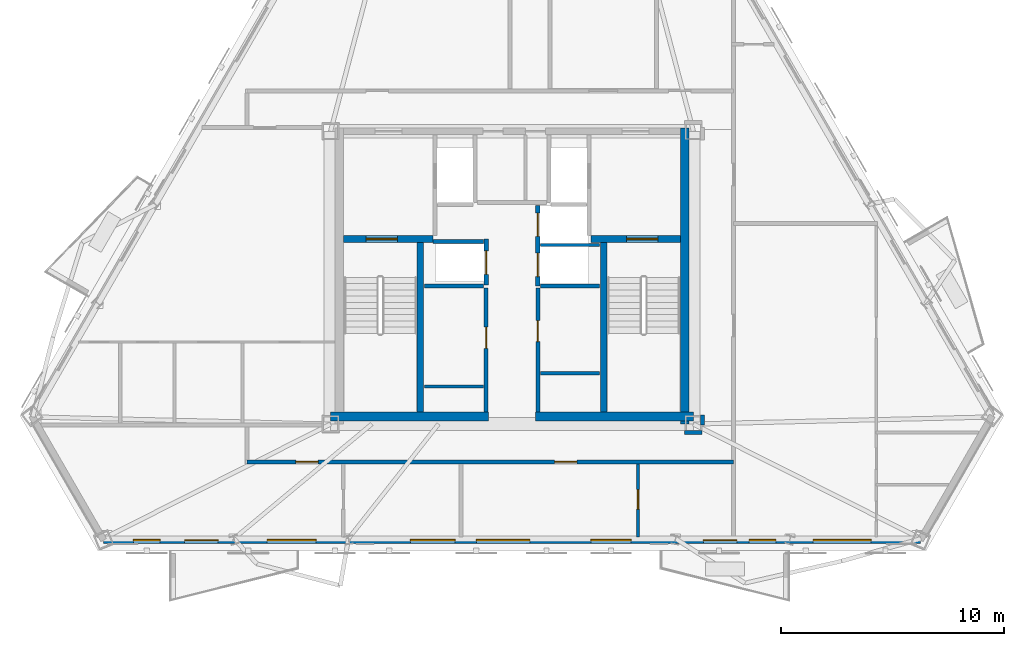
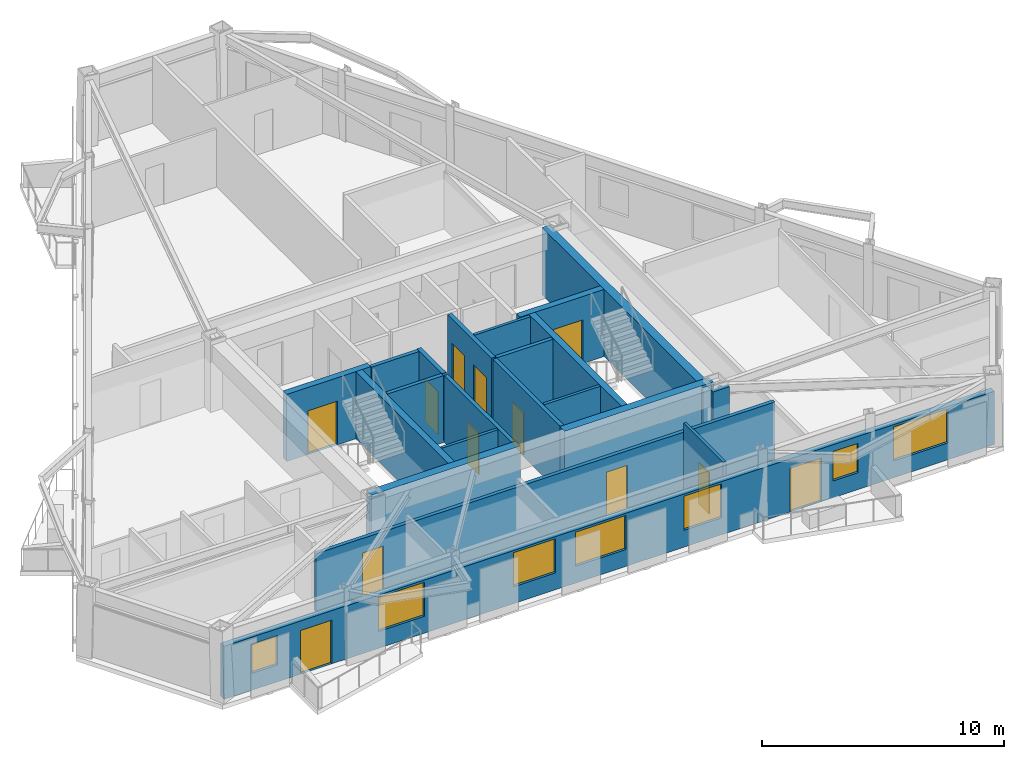
# One storey, part 3 of 9: 22 walls, 12 doors, 7 windows, 19 openings.
"""IFC4 building model written with IfcOpenShell, lengths in metres."""

from ifc_helpers import new_model, si_unit, direction, frame, frame_2d, origin, place, context, subcontext, project, spatial, rectangle, extrude, material, layer, layer_set, type_object, element, fill, save


model = new_model("IFC4")

# Units and contexts
model_context = context("Model", 3, precision=1e-05, world=origin(), true_north=direction((0.0, 1.0)))
body_context = subcontext(model_context, "Body", "Model", "MODEL_VIEW")
ifc_project = project(units=[si_unit("LENGTHUNIT", "METRE"), si_unit("AREAUNIT", "SQUARE_METRE"), si_unit("VOLUMEUNIT", "CUBIC_METRE"), si_unit("PLANEANGLEUNIT", "RADIAN"), si_unit("MASSUNIT", "GRAM", prefix="KILO")], contexts=[model_context])

# Site, building, storey
site_placement = place(None, origin())
site = spatial("IfcSite", under=ifc_project, at=site_placement, CompositionType="ELEMENT")
building_placement = place(site_placement, origin())
building = spatial("IfcBuilding", under=site, at=building_placement, Name="Oramaril Tower", CompositionType="ELEMENT")
storey_placement = place(building_placement, frame((0.0, 0.0, 223.5)))
storey = spatial("IfcBuildingStorey", under=building, at=storey_placement, Name="L59", CompositionType="ELEMENT", Elevation=223.5)

# Wall, openings, doors, windows
ifc_material_1 = material(Name="Warm Cream Limestone", Category="masonry")
ifc_layer_1 = layer(ifc_material_1, 0.2900390625)
ifc_layer_set_1 = layer_set([ifc_layer_1], Name="WT-EXT29")
wall_type_1 = type_object("IfcWallType", Name="WT-EXT29", PredefinedType="SOLIDWALL", material=ifc_layer_set_1)
wall_1_placement = place(storey_placement, frame((19.156005859375, 5.783935546875, 0.0), z_axis=(0.0, 0.0, 1.0), x_axis=(1.0, 0.0, 0.0)))
wall_1 = element("IfcWall", 1, at=wall_1_placement, inside=storey, type_object=wall_type_1, Name="L59 Tower Limestone Facade Wall 2M", PredefinedType="SOLIDWALL", context=body_context, shape_type="SweptSolid", body=[
    extrude(rectangle(XDim=36.68798828125, YDim=0.2900390625, at=frame_2d((18.343994140625, 0.0))), origin(), (0.0, 0.0, 1.0), 2.677001953125),
])
opening_1_placement = place(wall_1_placement, frame((3.639404296875, 0.0, 0.0)))
opening_1 = element("IfcOpeningElement", 2, at=opening_1_placement, cuts=wall_1, Name="Opening D-L59-BAL-S1", PredefinedType="OPENING", context=body_context, shape_type="SweptSolid", body=[
    extrude(rectangle(XDim=1.5, YDim=2.199951171875, at=frame_2d((0.75, 1.10009765625))), frame((0.0, 0.14501953125, 0.0), z_axis=(0.0, -1.0, 0.0), x_axis=(1.0, 0.0, 0.0)), (0.0, 0.0, 1.0), 0.2900390625),
])
opening_2_placement = place(wall_1_placement, frame((26.943603515625, 0.0, 0.0)))
opening_2 = element("IfcOpeningElement", 3, at=opening_2_placement, cuts=wall_1, Name="Opening D-L59-BAL-S2", PredefinedType="OPENING", context=body_context, shape_type="SweptSolid", body=[
    extrude(rectangle(XDim=1.5, YDim=2.199951171875, at=frame_2d((0.75, 1.10009765625))), frame((0.0, 0.14501953125, 0.0), z_axis=(0.0, -1.0, 0.0), x_axis=(1.0, 0.0, 0.0)), (0.0, 0.0, 1.0), 0.2900390625),
])
opening_3_placement = place(wall_1_placement, frame((1.336669921875, 0.0, 0.85009765625)))
opening_3 = element("IfcOpeningElement", 4, at=opening_3_placement, cuts=wall_1, Name="Opening WN-09", PredefinedType="OPENING", context=body_context, shape_type="SweptSolid", body=[
    extrude(rectangle(XDim=1.199951171875, YDim=1.47998046875, at=frame_2d((0.60009765625, 0.739990234375))), frame((0.0, 0.14501953125, 0.0), z_axis=(0.0, -1.0, 0.0), x_axis=(1.0, 0.0, 0.0)), (0.0, 0.0, 1.0), 0.2900390625),
])
opening_4_placement = place(wall_1_placement, frame((7.342041015625, 0.0, 0.85009765625)))
opening_4 = element("IfcOpeningElement", 5, at=opening_4_placement, cuts=wall_1, Name="Opening WN-04", PredefinedType="OPENING", context=body_context, shape_type="SweptSolid", body=[
    extrude(rectangle(XDim=2.199951171875, YDim=1.717041015625, at=frame_2d((1.10009765625, 0.8583984375))), frame((0.0, 0.14501953125, 0.0), z_axis=(0.0, -1.0, 0.0), x_axis=(1.0, 0.0, 0.0)), (0.0, 0.0, 1.0), 0.2900390625),
])
opening_5_placement = place(wall_1_placement, frame((13.78369140625, 0.0, 0.85009765625)))
opening_5 = element("IfcOpeningElement", 6, at=opening_5_placement, cuts=wall_1, Name="Opening WN-05", PredefinedType="OPENING", context=body_context, shape_type="SweptSolid", body=[
    extrude(rectangle(XDim=2.0, YDim=1.717041015625, at=frame_2d((1.0, 0.8583984375))), frame((0.0, 0.14501953125, 0.0), z_axis=(0.0, -1.0, 0.0), x_axis=(1.0, 0.0, 0.0)), (0.0, 0.0, 1.0), 0.2900390625),
])
opening_6_placement = place(wall_1_placement, frame((16.741943359375, 0.0, 0.85009765625)))
opening_6 = element("IfcOpeningElement", 7, at=opening_6_placement, cuts=wall_1, Name="Opening WN-03", PredefinedType="OPENING", context=body_context, shape_type="SweptSolid", body=[
    extrude(rectangle(XDim=2.39990234375, YDim=1.717041015625, at=frame_2d((1.199951171875, 0.8583984375))), frame((0.0, 0.14501953125, 0.0), z_axis=(0.0, -1.0, 0.0), x_axis=(1.0, 0.0, 0.0)), (0.0, 0.0, 1.0), 0.2900390625),
])
opening_7_placement = place(wall_1_placement, frame((21.891845703125, 0.0, 0.85009765625)))
opening_7 = element("IfcOpeningElement", 8, at=opening_7_placement, cuts=wall_1, Name="Opening WN-06", PredefinedType="OPENING", context=body_context, shape_type="SweptSolid", body=[
    extrude(rectangle(XDim=1.800048828125, YDim=1.717041015625, at=frame_2d((0.89990234375, 0.8583984375))), frame((0.0, 0.14501953125, 0.0), z_axis=(0.0, -1.0, 0.0), x_axis=(1.0, 0.0, 0.0)), (0.0, 0.0, 1.0), 0.2900390625),
])
opening_8_placement = place(wall_1_placement, frame((28.994140625, 0.0, 0.85009765625)))
opening_8 = element("IfcOpeningElement", 9, at=opening_8_placement, cuts=wall_1, Name="Opening WN-09", PredefinedType="OPENING", context=body_context, shape_type="SweptSolid", body=[
    extrude(rectangle(XDim=1.199951171875, YDim=1.47998046875, at=frame_2d((0.60009765625, 0.739990234375))), frame((0.0, 0.14501953125, 0.0), z_axis=(0.0, -1.0, 0.0), x_axis=(1.0, 0.0, 0.0)), (0.0, 0.0, 1.0), 0.2900390625),
])
opening_9_placement = place(wall_1_placement, frame((31.874755859375, 0.0, 0.85009765625)))
opening_9 = element("IfcOpeningElement", 10, at=opening_9_placement, cuts=wall_1, Name="Opening WN-02", PredefinedType="OPENING", context=body_context, shape_type="SweptSolid", body=[
    extrude(rectangle(XDim=2.60009765625, YDim=1.717041015625, at=frame_2d((1.300048828125, 0.8583984375))), frame((0.0, 0.14501953125, 0.0), z_axis=(0.0, -1.0, 0.0), x_axis=(1.0, 0.0, 0.0)), (0.0, 0.0, 1.0), 0.2900390625),
])
ifc_material_2 = material(Name="Anodised Aluminium 6063-T6", Category="aluminium")
door_type_1 = type_object("IfcDoorType", Name="DT-BAL", OperationType="NOTDEFINED", PredefinedType="DOOR", material=ifc_material_2)
door_1_placement = place(opening_1_placement, origin())
door_1 = element("IfcDoor", 11, at=door_1_placement, inside=storey, type_object=door_type_1, Name="L59 Balcony Glazed Door L59-BAL-S1", OperationType="SINGLE_SWING_RIGHT", OverallHeight=2.199951171875, OverallWidth=1.5, PredefinedType="DOOR", context=body_context, shape_type="SweptSolid", body=[
    extrude(rectangle(XDim=1.5, YDim=2.199951171875, at=frame_2d((0.75, 1.10009765625))), frame((0.0, 0.02490234375, 0.0), z_axis=(0.0, -1.0, 0.0), x_axis=(1.0, 0.0, 0.0)), (0.0, 0.0, 1.0), 0.050048828125),
])
fill(opening_1, door_1)
door_2_placement = place(opening_2_placement, origin())
door_2 = element("IfcDoor", 12, at=door_2_placement, inside=storey, type_object=door_type_1, Name="L59 Balcony Glazed Door L59-BAL-S2", OperationType="SINGLE_SWING_LEFT", OverallHeight=2.199951171875, OverallWidth=1.5, PredefinedType="DOOR", context=body_context, shape_type="SweptSolid", body=[
    extrude(rectangle(XDim=1.5, YDim=2.199951171875, at=frame_2d((0.75, 1.10009765625))), frame((0.0, 0.02490234375, 0.0), z_axis=(0.0, -1.0, 0.0), x_axis=(1.0, 0.0, 0.0)), (0.0, 0.0, 1.0), 0.050048828125),
])
fill(opening_2, door_2)
ifc_material_3 = material(Name="Coastal Low-E Insulated Glass", Category="glass")
window_type_1 = type_object("IfcWindowType", Name="WNT-02", PartitioningType="SINGLE_PANEL", PredefinedType="WINDOW", material=ifc_material_3)
window_1_placement = place(opening_9_placement, origin())
window_1 = element("IfcWindow", 13, at=window_1_placement, inside=storey, type_object=window_type_1, Name="L59 Chicago Bay Window WN-02", OverallHeight=1.717041015625, OverallWidth=2.60009765625, PartitioningType="SINGLE_PANEL", PredefinedType="WINDOW", context=body_context, shape_type="SweptSolid", body=[
    extrude(rectangle(XDim=2.60009765625, YDim=1.717041015625, at=frame_2d((1.300048828125, 0.8583984375))), frame((0.0, 0.030029296875, 0.0), z_axis=(0.0, -1.0, 0.0), x_axis=(1.0, 0.0, 0.0)), (0.0, 0.0, 1.0), 0.06005859375),
])
fill(opening_9, window_1)
ifc_material_4 = material(Name="Coastal Low-E Insulated Glass", Category="glass")
window_type_2 = type_object("IfcWindowType", Name="WNT-03", PartitioningType="SINGLE_PANEL", PredefinedType="WINDOW", material=ifc_material_4)
window_2_placement = place(opening_6_placement, origin())
window_2 = element("IfcWindow", 14, at=window_2_placement, inside=storey, type_object=window_type_2, Name="L59 Chicago Bay Window WN-03", OverallHeight=1.717041015625, OverallWidth=2.39990234375, PartitioningType="SINGLE_PANEL", PredefinedType="WINDOW", context=body_context, shape_type="SweptSolid", body=[
    extrude(rectangle(XDim=2.39990234375, YDim=1.717041015625, at=frame_2d((1.199951171875, 0.8583984375))), frame((0.0, 0.030029296875, 0.0), z_axis=(0.0, -1.0, 0.0), x_axis=(1.0, 0.0, 0.0)), (0.0, 0.0, 1.0), 0.06005859375),
])
fill(opening_6, window_2)
ifc_material_5 = material(Name="Coastal Low-E Insulated Glass", Category="glass")
window_type_3 = type_object("IfcWindowType", Name="WNT-04", PartitioningType="SINGLE_PANEL", PredefinedType="WINDOW", material=ifc_material_5)
window_3_placement = place(opening_4_placement, origin())
window_3 = element("IfcWindow", 15, at=window_3_placement, inside=storey, type_object=window_type_3, Name="L59 Chicago Bay Window WN-04", OverallHeight=1.717041015625, OverallWidth=2.199951171875, PartitioningType="SINGLE_PANEL", PredefinedType="WINDOW", context=body_context, shape_type="SweptSolid", body=[
    extrude(rectangle(XDim=2.199951171875, YDim=1.717041015625, at=frame_2d((1.10009765625, 0.8583984375))), frame((0.0, 0.030029296875, 0.0), z_axis=(0.0, -1.0, 0.0), x_axis=(1.0, 0.0, 0.0)), (0.0, 0.0, 1.0), 0.06005859375),
])
fill(opening_4, window_3)
ifc_material_6 = material(Name="Coastal Low-E Insulated Glass", Category="glass")
window_type_4 = type_object("IfcWindowType", Name="WNT-05", PartitioningType="SINGLE_PANEL", PredefinedType="WINDOW", material=ifc_material_6)
window_4_placement = place(opening_5_placement, origin())
window_4 = element("IfcWindow", 16, at=window_4_placement, inside=storey, type_object=window_type_4, Name="L59 Chicago Bay Window WN-05", OverallHeight=1.717041015625, OverallWidth=2.0, PartitioningType="SINGLE_PANEL", PredefinedType="WINDOW", context=body_context, shape_type="SweptSolid", body=[
    extrude(rectangle(XDim=2.0, YDim=1.717041015625, at=frame_2d((1.0, 0.8583984375))), frame((0.0, 0.030029296875, 0.0), z_axis=(0.0, -1.0, 0.0), x_axis=(1.0, 0.0, 0.0)), (0.0, 0.0, 1.0), 0.06005859375),
])
fill(opening_5, window_4)
ifc_material_7 = material(Name="Coastal Low-E Insulated Glass", Category="glass")
window_type_5 = type_object("IfcWindowType", Name="WNT-06", PartitioningType="SINGLE_PANEL", PredefinedType="WINDOW", material=ifc_material_7)
window_5_placement = place(opening_7_placement, origin())
window_5 = element("IfcWindow", 17, at=window_5_placement, inside=storey, type_object=window_type_5, Name="L59 Chicago Bay Window WN-06", OverallHeight=1.717041015625, OverallWidth=1.800048828125, PartitioningType="SINGLE_PANEL", PredefinedType="WINDOW", context=body_context, shape_type="SweptSolid", body=[
    extrude(rectangle(XDim=1.800048828125, YDim=1.717041015625, at=frame_2d((0.89990234375, 0.8583984375))), frame((0.0, 0.030029296875, 0.0), z_axis=(0.0, -1.0, 0.0), x_axis=(1.0, 0.0, 0.0)), (0.0, 0.0, 1.0), 0.06005859375),
])
fill(opening_7, window_5)
ifc_material_8 = material(Name="Coastal Low-E Insulated Glass", Category="glass")
window_type_6 = type_object("IfcWindowType", Name="WNT-09", PartitioningType="SINGLE_PANEL", PredefinedType="WINDOW", material=ifc_material_8)
window_6_placement = place(opening_3_placement, origin())
window_6 = element("IfcWindow", 18, at=window_6_placement, inside=storey, type_object=window_type_6, Name="L59 Chicago Bay Window WN-09", OverallHeight=1.47998046875, OverallWidth=1.199951171875, PartitioningType="SINGLE_PANEL", PredefinedType="WINDOW", context=body_context, shape_type="SweptSolid", body=[
    extrude(rectangle(XDim=1.199951171875, YDim=1.47998046875, at=frame_2d((0.60009765625, 0.739990234375))), frame((0.0, 0.030029296875, 0.0), z_axis=(0.0, -1.0, 0.0), x_axis=(1.0, 0.0, 0.0)), (0.0, 0.0, 1.0), 0.06005859375),
])
fill(opening_3, window_6)
window_7_placement = place(opening_8_placement, origin())
window_7 = element("IfcWindow", 19, at=window_7_placement, inside=storey, type_object=window_type_6, Name="L59 Chicago Bay Window WN-09", OverallHeight=1.47998046875, OverallWidth=1.199951171875, PartitioningType="SINGLE_PANEL", PredefinedType="WINDOW", context=body_context, shape_type="SweptSolid", body=[
    extrude(rectangle(XDim=1.199951171875, YDim=1.47998046875, at=frame_2d((0.60009765625, 0.739990234375))), frame((0.0, 0.030029296875, 0.0), z_axis=(0.0, -1.0, 0.0), x_axis=(1.0, 0.0, 0.0)), (0.0, 0.0, 1.0), 0.06005859375),
])
fill(opening_8, window_7)

# Walls
ifc_material_9 = material(Name="Acoustic Gypsum Board Partition")
ifc_layer_2 = layer(ifc_material_9, 0.139892578125)
ifc_layer_set_2 = layer_set([ifc_layer_2], Name="WT-PT14")
wall_type_2 = type_object("IfcWallType", Name="WT-PT14", PredefinedType="PARTITIONING", material=ifc_layer_set_2)
for number, where, z_axis, x_axis, name in (
    (20, (33.56005859375, 12.679931640625, 0.0), (0.0, 0.0, 1.0), (1.0, 0.0, 0.0), "L59 Freed Shaft South Closure"),
    (21, (38.780029296875, 19.050048828125, 0.0), (0.0, 0.0, 1.0), (1.0, 0.0, 0.0), "L59 High-Rise Lift H2-H3 Divider"),
    (22, (38.780029296875, 13.280029296875, 0.0), (0.0, 0.0, 1.0), (1.0, 0.0, 0.0), "L59 Freed Shaft South Closure"),
):
    element("IfcWall", number, at=place(storey_placement, frame(where, z_axis=z_axis, x_axis=x_axis)), inside=storey, type_object=wall_type_2, Name=name, PredefinedType="PARTITIONING", context=body_context, shape_type="SweptSolid", body=[
        extrude(rectangle(XDim=2.659912109375, YDim=0.139892578125, at=frame_2d((1.330078125, 0.0))), origin(), (0.0, 0.0, 1.0), 3.3798828125),
    ])

# Wall, opening, door
wall_2_placement = place(storey_placement, frame((43.159912109375, 5.93310546875, 0.0), z_axis=(0.0, 0.0, 1.0), x_axis=(0.0, 1.0, 0.0)))
wall_2 = element("IfcWall", 23, at=wall_2_placement, inside=storey, type_object=wall_type_2, Name="L59 Interior Partition PT-14", PredefinedType="PARTITIONING", context=body_context, shape_type="SweptSolid", body=[
    extrude(rectangle(XDim=3.27294921875, YDim=0.139892578125, at=frame_2d((1.636474609375, 0.0))), origin(), (0.0, 0.0, 1.0), 3.3798828125),
])
opening_10_placement = place(wall_2_placement, frame((1.243896484375, 0.0, 0.0)))
opening_10 = element("IfcOpeningElement", 24, at=opening_10_placement, cuts=wall_2, Name="Opening D-L59-15", PredefinedType="OPENING", context=body_context, shape_type="SweptSolid", body=[
    extrude(rectangle(XDim=0.8798828125, YDim=2.080078125, at=frame_2d((0.43994140625, 1.0400390625))), frame((0.0, 0.06982421875, 0.0), z_axis=(0.0, -1.0, 0.0), x_axis=(1.0, 0.0, 0.0)), (0.0, 0.0, 1.0), 0.139892578125),
])
ifc_material_10 = material(Name="FSC Brazilian Freijo Hardwood", Category="wood")
door_type_2 = type_object("IfcDoorType", Name="DT-BATH", OperationType="NOTDEFINED", PredefinedType="DOOR", material=ifc_material_10)
door_3_placement = place(opening_10_placement, origin())
door_3 = element("IfcDoor", 25, at=door_3_placement, inside=storey, type_object=door_type_2, Name="L59 Flat L59-U2 Bathroom Door D-L59-15", OperationType="SINGLE_SWING_LEFT", OverallHeight=2.080078125, OverallWidth=0.8798828125, PredefinedType="DOOR", context=body_context, shape_type="SweptSolid", body=[
    extrude(rectangle(XDim=0.8798828125, YDim=2.080078125, at=frame_2d((0.43994140625, 1.0400390625))), frame((0.0, 0.02490234375, 0.0), z_axis=(0.0, -1.0, 0.0), x_axis=(1.0, 0.0, 0.0)), (0.0, 0.0, 1.0), 0.050048828125),
])
fill(opening_10, door_3)

# Walls
ifc_material_11 = material(Name="Autoclaved Cellular Concrete Block", Category="concrete")
ifc_layer_3 = layer(ifc_material_11, 0.179931640625)
ifc_layer_set_3 = layer_set([ifc_layer_3], Name="WT-PT18")
wall_type_3 = type_object("IfcWallType", Name="WT-PT18", PredefinedType="PARTITIONING", material=ifc_layer_set_3)
wall_3_placement = place(storey_placement, frame((33.949951171875, 19.199951171875, 0.0), z_axis=(0.0, 0.0, 1.0), x_axis=(1.0, 0.0, 0.0)))
element("IfcWall", 26, at=wall_3_placement, inside=storey, type_object=wall_type_3, Name="L59 High-Rise Lift H1 North Shaft Wall", PredefinedType="PARTITIONING", context=body_context, shape_type="SweptSolid", body=[
    extrude(rectangle(XDim=2.27001953125, YDim=0.179931640625, at=frame_2d((1.135009765625, 0.0))), origin(), (0.0, 0.0, 1.0), 3.3798828125),
])
wall_4_placement = place(storey_placement, frame((33.56005859375, 17.199951171875, 0.0), z_axis=(0.0, 0.0, 1.0), x_axis=(1.0, 0.0, 0.0)))
element("IfcWall", 27, at=wall_4_placement, inside=storey, type_object=wall_type_3, Name="L59 High-Rise Lift H1 South Wall", PredefinedType="PARTITIONING", context=body_context, shape_type="SweptSolid", body=[
    extrude(rectangle(XDim=2.659912109375, YDim=0.179931640625, at=frame_2d((1.330078125, 0.0))), origin(), (0.0, 0.0, 1.0), 3.3798828125),
])

# Wall, opening, door
wall_5_placement = place(storey_placement, frame((36.340087890625, 11.550048828125, 0.0), z_axis=(0.0, 0.0, 1.0), x_axis=(0.0, 1.0, 0.0)))
wall_5 = element("IfcWall", 28, at=wall_5_placement, inside=storey, type_object=wall_type_3, Name="L59 Freed Shaft Study East Wall", PredefinedType="PARTITIONING", context=body_context, shape_type="SweptSolid", body=[
    extrude(rectangle(XDim=5.550048828125, YDim=0.179931640625, at=frame_2d((2.77490234375, 0.0))), origin(), (0.0, 0.0, 1.0), 3.3798828125),
])
opening_11_placement = place(wall_5_placement, frame((2.85009765625, 0.0, 0.0)))
opening_11 = element("IfcOpeningElement", 29, at=opening_11_placement, cuts=wall_5, Name="Opening D-L59-FL1", PredefinedType="OPENING", context=body_context, shape_type="SweptSolid", body=[
    extrude(rectangle(XDim=0.949951171875, YDim=2.10009765625, at=frame_2d((0.47509765625, 1.050048828125))), frame((0.0, 0.08984375, 0.0), z_axis=(0.0, -1.0, 0.0), x_axis=(1.0, 0.0, 0.0)), (0.0, 0.0, 1.0), 0.179931640625),
])
ifc_material_12 = material(Name="FSC Brazilian Freijo Hardwood", Category="wood")
door_type_3 = type_object("IfcDoorType", Name="DT-STDY", OperationType="NOTDEFINED", PredefinedType="DOOR", material=ifc_material_12)
door_4_placement = place(opening_11_placement, origin())
door_4 = element("IfcDoor", 30, at=door_4_placement, inside=storey, type_object=door_type_3, Name="L59 L59 Residents Library Study Door", OperationType="SINGLE_SWING_LEFT", OverallHeight=2.10009765625, OverallWidth=0.949951171875, PredefinedType="DOOR", context=body_context, shape_type="SweptSolid", body=[
    extrude(rectangle(XDim=0.949951171875, YDim=2.10009765625, at=frame_2d((0.47509765625, 1.050048828125))), frame((0.0, 0.02490234375, 0.0), z_axis=(0.0, -1.0, 0.0), x_axis=(1.0, 0.0, 0.0)), (0.0, 0.0, 1.0), 0.050048828125),
])
fill(opening_11, door_4)

# Wall
wall_6_placement = place(storey_placement, frame((38.780029296875, 17.199951171875, 0.0), z_axis=(0.0, 0.0, 1.0), x_axis=(1.0, 0.0, 0.0)))
element("IfcWall", 31, at=wall_6_placement, inside=storey, type_object=wall_type_3, Name="L59 High-Rise Lift H2 South Wall", PredefinedType="PARTITIONING", context=body_context, shape_type="SweptSolid", body=[
    extrude(rectangle(XDim=2.659912109375, YDim=0.179931640625, at=frame_2d((1.330078125, 0.0))), origin(), (0.0, 0.0, 1.0), 3.3798828125),
])

# Wall, opening, door
wall_7_placement = place(storey_placement, frame((38.659912109375, 11.550048828125, 0.0), z_axis=(0.0, 0.0, 1.0), x_axis=(0.0, 1.0, 0.0)))
wall_7 = element("IfcWall", 32, at=wall_7_placement, inside=storey, type_object=wall_type_3, Name="L59 Freed Shaft Alcove West Wall", PredefinedType="PARTITIONING", context=body_context, shape_type="SweptSolid", body=[
    extrude(rectangle(XDim=5.550048828125, YDim=0.179931640625, at=frame_2d((2.77490234375, 0.0))), origin(), (0.0, 0.0, 1.0), 3.3798828125),
])
opening_12_placement = place(wall_7_placement, frame((3.14990234375, 0.0, 0.0)))
opening_12 = element("IfcOpeningElement", 33, at=opening_12_placement, cuts=wall_7, Name="Opening D-L59-FM1", PredefinedType="OPENING", context=body_context, shape_type="SweptSolid", body=[
    extrude(rectangle(XDim=0.949951171875, YDim=2.10009765625, at=frame_2d((0.47509765625, 1.050048828125))), frame((0.0, 0.08984375, 0.0), z_axis=(0.0, -1.0, 0.0), x_axis=(1.0, 0.0, 0.0)), (0.0, 0.0, 1.0), 0.179931640625),
])
door_5_placement = place(opening_12_placement, origin())
door_5 = element("IfcDoor", 34, at=door_5_placement, inside=storey, type_object=door_type_3, Name="L59 L59 Sky Consulting Office Door", OperationType="SINGLE_SWING_RIGHT", OverallHeight=2.10009765625, OverallWidth=0.949951171875, PredefinedType="DOOR", context=body_context, shape_type="SweptSolid", body=[
    extrude(rectangle(XDim=0.949951171875, YDim=2.10009765625, at=frame_2d((0.47509765625, 1.050048828125))), frame((0.0, 0.02490234375, 0.0), z_axis=(0.0, -1.0, 0.0), x_axis=(1.0, 0.0, 0.0)), (0.0, 0.0, 1.0), 0.050048828125),
])
fill(opening_12, door_5)

# Wall, openings, doors
wall_8_placement = place(storey_placement, frame((25.60009765625, 9.300048828125, 0.0), z_axis=(0.0, 0.0, 1.0), x_axis=(1.0, 0.0, 0.0)))
wall_8 = element("IfcWall", 35, at=wall_8_placement, inside=storey, type_object=wall_type_3, Name="L59 Interior Partition PT-18", PredefinedType="PARTITIONING", context=body_context, shape_type="SweptSolid", body=[
    extrude(rectangle(XDim=21.849853515625, YDim=0.179931640625, at=frame_2d((10.9248046875, 0.0))), origin(), (0.0, 0.0, 1.0), 2.9130859375),
])
opening_13_placement = place(wall_8_placement, frame((2.1953125, 0.0, 0.0)))
opening_13 = element("IfcOpeningElement", 36, at=opening_13_placement, cuts=wall_8, Name="Opening D-L59-01", PredefinedType="OPENING", context=body_context, shape_type="SweptSolid", body=[
    extrude(rectangle(XDim=1.0, YDim=2.179931640625, at=frame_2d((0.5, 1.08984375))), frame((0.0, 0.08984375, 0.0), z_axis=(0.0, -1.0, 0.0), x_axis=(1.0, 0.0, 0.0)), (0.0, 0.0, 1.0), 0.179931640625),
])
opening_14_placement = place(wall_8_placement, frame((13.816650390625, 0.0, 0.0)))
opening_14 = element("IfcOpeningElement", 37, at=opening_14_placement, cuts=wall_8, Name="Opening D-L59-02", PredefinedType="OPENING", context=body_context, shape_type="SweptSolid", body=[
    extrude(rectangle(XDim=1.0, YDim=2.179931640625, at=frame_2d((0.5, 1.08984375))), frame((0.0, 0.08984375, 0.0), z_axis=(0.0, -1.0, 0.0), x_axis=(1.0, 0.0, 0.0)), (0.0, 0.0, 1.0), 0.179931640625),
])
ifc_material_13 = material(Name="FSC Brazilian Freijo Hardwood", Category="wood")
door_type_4 = type_object("IfcDoorType", Name="DT-APT", OperationType="NOTDEFINED", PredefinedType="DOOR", material=ifc_material_13)
door_6_placement = place(opening_13_placement, origin())
door_6 = element("IfcDoor", 38, at=door_6_placement, inside=storey, type_object=door_type_4, Name="L59 Flat L59-U1 Kitchen and Studio Apartment Door D-L59-01", OperationType="SINGLE_SWING_LEFT", OverallHeight=2.179931640625, OverallWidth=1.0, PredefinedType="DOOR", context=body_context, shape_type="SweptSolid", body=[
    extrude(rectangle(XDim=1.0, YDim=2.179931640625, at=frame_2d((0.5, 1.08984375))), frame((0.0, 0.02490234375, 0.0), z_axis=(0.0, -1.0, 0.0), x_axis=(1.0, 0.0, 0.0)), (0.0, 0.0, 1.0), 0.050048828125),
])
fill(opening_13, door_6)
door_7_placement = place(opening_14_placement, origin())
door_7 = element("IfcDoor", 39, at=door_7_placement, inside=storey, type_object=door_type_4, Name="L59 Flat L59-U2 Kitchen and Studio Apartment Door D-L59-02", OperationType="SINGLE_SWING_RIGHT", OverallHeight=2.179931640625, OverallWidth=1.0, PredefinedType="DOOR", context=body_context, shape_type="SweptSolid", body=[
    extrude(rectangle(XDim=1.0, YDim=2.179931640625, at=frame_2d((0.5, 1.08984375))), frame((0.0, 0.02490234375, 0.0), z_axis=(0.0, -1.0, 0.0), x_axis=(1.0, 0.0, 0.0)), (0.0, 0.0, 1.0), 0.050048828125),
])
fill(opening_14, door_7)

# Walls
wall_9_placement = place(storey_placement, frame((45.260009765625, 10.610107421875, 0.0), z_axis=(0.0, 0.0, 1.0), x_axis=(1.0, 0.0, 0.0)))
element("IfcWall", 40, at=wall_9_placement, inside=storey, type_object=wall_type_3, Name="L59 Interior Partition PT-18", PredefinedType="PARTITIONING", context=body_context, shape_type="SweptSolid", body=[
    extrude(rectangle(XDim=0.780029296875, YDim=0.179931640625, at=frame_2d((0.39013671875, 0.0))), origin(), (0.0, 0.0, 1.0), 3.3798828125),
])
wall_10_placement = place(storey_placement, frame((46.050048828125, 10.949951171875, 0.0), z_axis=(0.0, 0.0, 1.0), x_axis=(0.0, 1.0, 0.0)))
element("IfcWall", 41, at=wall_10_placement, inside=storey, type_object=wall_type_3, Name="L59 Interior Partition PT-18", PredefinedType="PARTITIONING", context=body_context, shape_type="SweptSolid", body=[
    extrude(rectangle(XDim=0.445068359375, YDim=0.179931640625, at=frame_2d((0.22265625, 0.0))), origin(), (0.0, 0.0, 1.0), 2.9130859375),
])

# Wall, opening, door
ifc_material_14 = material(Name="Concrete C50/60", Category="concrete")
ifc_layer_4 = layer(ifc_material_14, 0.300048828125)
ifc_layer_set_4 = layer_set([ifc_layer_4], Name="WT-SH30")
wall_type_4 = type_object("IfcWallType", Name="WT-SH30", PredefinedType="SHEAR", material=ifc_layer_set_4)
wall_11_placement = place(storey_placement, frame((29.93994140625, 19.31005859375, 0.0), z_axis=(0.0, 0.0, 1.0), x_axis=(1.0, 0.0, 0.0)))
wall_11 = element("IfcWall", 42, at=wall_11_placement, inside=storey, type_object=wall_type_4, Name="L59 Core Shear Wall CW-ST1N", PredefinedType="SHEAR", context=body_context, shape_type="SweptSolid", body=[
    extrude(rectangle(XDim=4.010009765625, YDim=0.300048828125, at=frame_2d((2.0048828125, 0.0))), origin(), (0.0, 0.0, 1.0), 3.3798828125),
])
opening_15_placement = place(wall_11_placement, frame((1.010009765625, 0.0, 0.0)))
opening_15 = element("IfcOpeningElement", 43, at=opening_15_placement, cuts=wall_11, Name="Opening D-L59-ST1", PredefinedType="OPENING", context=body_context, shape_type="SweptSolid", body=[
    extrude(rectangle(XDim=1.39990234375, YDim=2.199951171875, at=frame_2d((0.699951171875, 1.10009765625))), frame((0.0, 0.14990234375, 0.0), z_axis=(0.0, -1.0, 0.0), x_axis=(1.0, 0.0, 0.0)), (0.0, 0.0, 1.0), 0.300048828125),
])
ifc_material_15 = material(Name="Painted Galvanised Steel", Category="steel")
door_type_5 = type_object("IfcDoorType", Name="DT-ST", OperationType="NOTDEFINED", PredefinedType="DOOR", material=ifc_material_15)
door_8_placement = place(opening_15_placement, origin())
door_8 = element("IfcDoor", 44, at=door_8_placement, inside=storey, type_object=door_type_5, Name="L59 Protected Stair ST-1 Fire Door", OperationType="SINGLE_SWING_LEFT", OverallHeight=2.199951171875, OverallWidth=1.39990234375, PredefinedType="DOOR", context=body_context, shape_type="SweptSolid", body=[
    extrude(rectangle(XDim=1.39990234375, YDim=2.199951171875, at=frame_2d((0.699951171875, 1.10009765625))), frame((0.0, 0.02490234375, 0.0), z_axis=(0.0, -1.0, 0.0), x_axis=(1.0, 0.0, 0.0)), (0.0, 0.0, 1.0), 0.050048828125),
])
fill(opening_15, door_8)

wall_12_placement = place(storey_placement, frame((41.050048828125, 19.31005859375, 0.0), z_axis=(0.0, 0.0, 1.0), x_axis=(1.0, 0.0, 0.0)))
wall_12 = element("IfcWall", 45, at=wall_12_placement, inside=storey, type_object=wall_type_4, Name="L59 Core Shear Wall CW-ST2N", PredefinedType="SHEAR", context=body_context, shape_type="SweptSolid", body=[
    extrude(rectangle(XDim=4.010009765625, YDim=0.300048828125, at=frame_2d((2.0048828125, 0.0))), origin(), (0.0, 0.0, 1.0), 3.3798828125),
])
opening_16_placement = place(wall_12_placement, frame((1.60009765625, 0.0, 0.0)))
opening_16 = element("IfcOpeningElement", 46, at=opening_16_placement, cuts=wall_12, Name="Opening D-L59-ST2", PredefinedType="OPENING", context=body_context, shape_type="SweptSolid", body=[
    extrude(rectangle(XDim=1.39990234375, YDim=2.199951171875, at=frame_2d((0.699951171875, 1.10009765625))), frame((0.0, 0.14990234375, 0.0), z_axis=(0.0, -1.0, 0.0), x_axis=(1.0, 0.0, 0.0)), (0.0, 0.0, 1.0), 0.300048828125),
])
door_9_placement = place(opening_16_placement, origin())
door_9 = element("IfcDoor", 47, at=door_9_placement, inside=storey, type_object=door_type_5, Name="L59 Protected Stair ST-2 Fire Door", OperationType="SINGLE_SWING_RIGHT", OverallHeight=2.199951171875, OverallWidth=1.39990234375, PredefinedType="DOOR", context=body_context, shape_type="SweptSolid", body=[
    extrude(rectangle(XDim=1.39990234375, YDim=2.199951171875, at=frame_2d((0.699951171875, 1.10009765625))), frame((0.0, 0.02490234375, 0.0), z_axis=(0.0, -1.0, 0.0), x_axis=(1.0, 0.0, 0.0)), (0.0, 0.0, 1.0), 0.050048828125),
])
fill(opening_16, door_9)

# Walls
for number, where, z_axis, x_axis, name in (
    (48, (33.3798828125, 11.5400390625, 0.0), (0.0, 0.0, 1.0), (0.0, 1.0, 0.0), "L59 Core Shear Wall CW-ST1E"),
    (49, (41.6201171875, 11.5400390625, 0.0), (0.0, 0.0, 1.0), (0.0, 1.0, 0.0), "L59 Core Shear Wall CW-ST2W"),
):
    element("IfcWall", number, at=place(storey_placement, frame(where, z_axis=z_axis, x_axis=x_axis)), inside=storey, type_object=wall_type_4, Name=name, PredefinedType="SHEAR", context=body_context, shape_type="SweptSolid", body=[
        extrude(rectangle(XDim=7.619873046875, YDim=0.300048828125, at=frame_2d((3.81005859375, 0.0))), origin(), (0.0, 0.0, 1.0), 3.3798828125),
    ])
ifc_material_16 = material(Name="Concrete C50/60", Category="concrete")
ifc_layer_5 = layer(ifc_material_16, 0.39990234375)
ifc_layer_set_5 = layer_set([ifc_layer_5], Name="WT-SH40")
wall_type_5 = type_object("IfcWallType", Name="WT-SH40", PredefinedType="SHEAR", material=ifc_layer_set_5)
wall_13_placement = place(storey_placement, frame((45.260009765625, 11.0, 0.0), z_axis=(0.0, 0.0, 1.0), x_axis=(0.0, 1.0, 0.0)))
element("IfcWall", 50, at=wall_13_placement, inside=storey, type_object=wall_type_5, Name="L59 Core Shear Wall CW-E", PredefinedType="SHEAR", context=body_context, shape_type="SweptSolid", body=[
    extrude(rectangle(XDim=13.300048828125, YDim=0.39990234375, at=frame_2d((6.64990234375, 0.0))), origin(), (0.0, 0.0, 1.0), 3.3798828125),
])
for number, where, z_axis, x_axis, name in (
    (51, (29.35009765625, 11.340087890625, 0.0), (0.0, 0.0, 1.0), (1.0, 0.0, 0.0), "L59 Core Shear Wall CW-SW"),
    (52, (38.550048828125, 11.340087890625, 0.0), (0.0, 0.0, 1.0), (1.0, 0.0, 0.0), "L59 Core Shear Wall CW-SE"),
):
    element("IfcWall", number, at=place(storey_placement, frame(where, z_axis=z_axis, x_axis=x_axis)), inside=storey, type_object=wall_type_5, Name=name, PredefinedType="SHEAR", context=body_context, shape_type="SweptSolid", body=[
        extrude(rectangle(XDim=7.099853515625, YDim=0.39990234375, at=frame_2d((3.5498046875, 0.0))), origin(), (0.0, 0.0, 1.0), 3.3798828125),
    ])

# Wall, opening, door
ifc_material_17 = material(Name="Autoclaved Cellular Concrete Block", Category="concrete")
ifc_layer_6 = layer(ifc_material_17, 0.199951171875)
ifc_layer_set_6 = layer_set([ifc_layer_6], Name="WT-SHF20")
wall_type_6 = type_object("IfcWallType", Name="WT-SHF20", PredefinedType="PARTITIONING", material=ifc_layer_set_6)
wall_14_placement = place(storey_placement, frame((36.340087890625, 17.25, 0.0), z_axis=(0.0, 0.0, 1.0), x_axis=(0.0, 1.0, 0.0)))
wall_14 = element("IfcWall", 53, at=wall_14_placement, inside=storey, type_object=wall_type_6, Name="L59 High-Rise Lift H1 Front Wall", PredefinedType="PARTITIONING", context=body_context, shape_type="SweptSolid", body=[
    extrude(rectangle(XDim=2.070068359375, YDim=0.199951171875, at=frame_2d((1.03515625, 0.0))), origin(), (0.0, 0.0, 1.0), 3.3798828125),
])
opening_17_placement = place(wall_14_placement, frame((0.47509765625, 0.0, 0.0)))
opening_17 = element("IfcOpeningElement", 54, at=opening_17_placement, cuts=wall_14, Name="Opening LD-L59-LP-H1", PredefinedType="OPENING", context=body_context, shape_type="SweptSolid", body=[
    extrude(rectangle(XDim=1.050048828125, YDim=2.14990234375, at=frame_2d((0.52490234375, 1.074951171875))), frame((0.0, 0.10009765625, 0.0), z_axis=(0.0, -1.0, 0.0), x_axis=(1.0, 0.0, 0.0)), (0.0, 0.0, 1.0), 0.199951171875),
])
ifc_material_18 = material(Name="Stainless Steel 316L", Category="steel")
door_type_6 = type_object("IfcDoorType", Name="DT-LD2", OperationType="NOTDEFINED", PredefinedType="DOOR", material=ifc_material_18)
door_10_placement = place(opening_17_placement, origin())
door_10 = element("IfcDoor", 55, at=door_10_placement, inside=storey, type_object=door_type_6, Name="L59 Lift LP-H1 Sliding Landing Door", OperationType="SLIDING_TO_LEFT", OverallHeight=2.14990234375, OverallWidth=1.050048828125, PredefinedType="DOOR", context=body_context, shape_type="SweptSolid", body=[
    extrude(rectangle(XDim=1.050048828125, YDim=2.14990234375, at=frame_2d((0.52490234375, 1.074951171875))), frame((0.0, 0.02490234375, 0.0), z_axis=(0.0, -1.0, 0.0), x_axis=(1.0, 0.0, 0.0)), (0.0, 0.0, 1.0), 0.050048828125),
])
fill(opening_17, door_10)

# Wall, openings, doors
wall_15_placement = place(storey_placement, frame((38.659912109375, 17.199951171875, 0.0), z_axis=(0.0, 0.0, 1.0), x_axis=(0.0, 1.0, 0.0)))
wall_15 = element("IfcWall", 56, at=wall_15_placement, inside=storey, type_object=wall_type_6, Name="L59 High-Rise Lift H2-H3 Front Wall", PredefinedType="PARTITIONING", context=body_context, shape_type="SweptSolid", body=[
    extrude(rectangle(XDim=3.6201171875, YDim=0.199951171875, at=frame_2d((1.81005859375, 0.0))), origin(), (0.0, 0.0, 1.0), 3.3798828125),
])
opening_18_placement = place(wall_15_placement, frame((0.425048828125, 0.0, 0.0)))
opening_18 = element("IfcOpeningElement", 57, at=opening_18_placement, cuts=wall_15, Name="Opening LD-L59-LP-H2", PredefinedType="OPENING", context=body_context, shape_type="SweptSolid", body=[
    extrude(rectangle(XDim=1.050048828125, YDim=2.14990234375, at=frame_2d((0.52490234375, 1.074951171875))), frame((0.0, 0.10009765625, 0.0), z_axis=(0.0, -1.0, 0.0), x_axis=(1.0, 0.0, 0.0)), (0.0, 0.0, 1.0), 0.199951171875),
])
opening_19_placement = place(wall_15_placement, frame((2.22509765625, 0.0, 0.0)))
opening_19 = element("IfcOpeningElement", 58, at=opening_19_placement, cuts=wall_15, Name="Opening LD-L59-LP-H3", PredefinedType="OPENING", context=body_context, shape_type="SweptSolid", body=[
    extrude(rectangle(XDim=1.050048828125, YDim=2.14990234375, at=frame_2d((0.52490234375, 1.074951171875))), frame((0.0, 0.10009765625, 0.0), z_axis=(0.0, -1.0, 0.0), x_axis=(1.0, 0.0, 0.0)), (0.0, 0.0, 1.0), 0.199951171875),
])
door_11_placement = place(opening_18_placement, origin())
door_11 = element("IfcDoor", 59, at=door_11_placement, inside=storey, type_object=door_type_6, Name="L59 Lift LP-H2 Sliding Landing Door", OperationType="SLIDING_TO_RIGHT", OverallHeight=2.14990234375, OverallWidth=1.050048828125, PredefinedType="DOOR", context=body_context, shape_type="SweptSolid", body=[
    extrude(rectangle(XDim=1.050048828125, YDim=2.14990234375, at=frame_2d((0.52490234375, 1.074951171875))), frame((0.0, 0.02490234375, 0.0), z_axis=(0.0, -1.0, 0.0), x_axis=(1.0, 0.0, 0.0)), (0.0, 0.0, 1.0), 0.050048828125),
])
fill(opening_18, door_11)
door_12_placement = place(opening_19_placement, origin())
door_12 = element("IfcDoor", 60, at=door_12_placement, inside=storey, type_object=door_type_6, Name="L59 Lift LP-H3 Sliding Landing Door", OperationType="SLIDING_TO_LEFT", OverallHeight=2.14990234375, OverallWidth=1.050048828125, PredefinedType="DOOR", context=body_context, shape_type="SweptSolid", body=[
    extrude(rectangle(XDim=1.050048828125, YDim=2.14990234375, at=frame_2d((0.52490234375, 1.074951171875))), frame((0.0, 0.02490234375, 0.0), z_axis=(0.0, -1.0, 0.0), x_axis=(1.0, 0.0, 0.0)), (0.0, 0.0, 1.0), 0.050048828125),
])
fill(opening_19, door_12)

save(model, "model.ifc")
